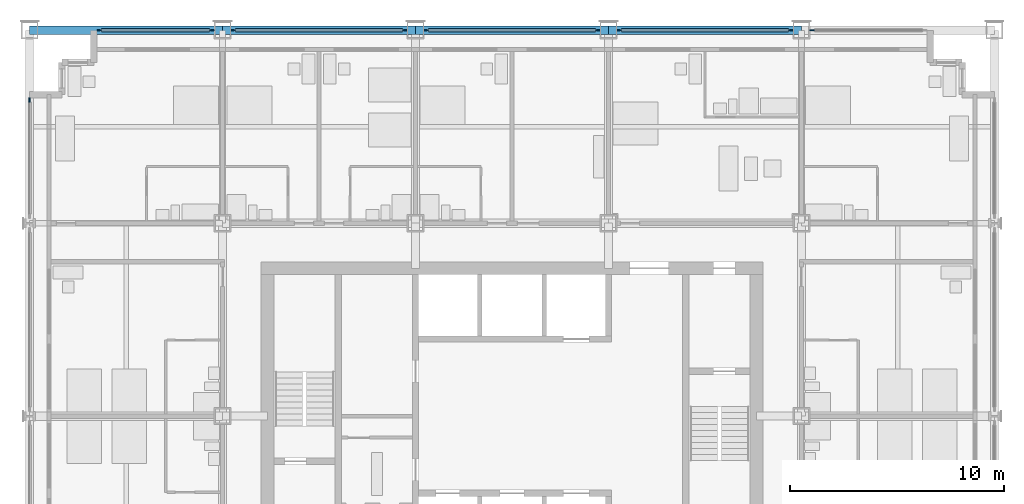
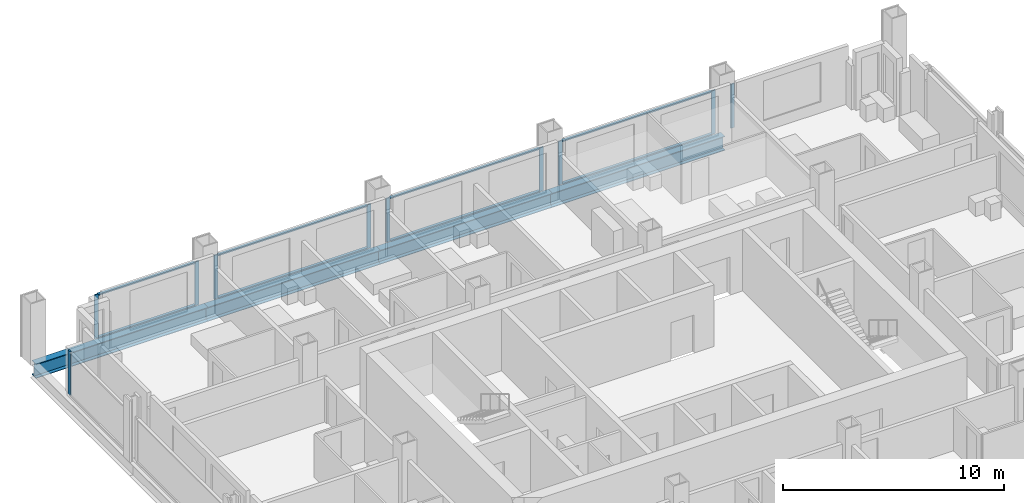
# One storey, part 6 of 16: 18 members, 4 beams, 6 elements without a shape of their own.
"""IFC4 building model written with IfcOpenShell, lengths in metres."""

from ifc_helpers import new_model, si_unit, direction, frame, origin, origin_2d, place, context, subcontext, project, spatial, rectangle, i_section, extrude, material, material_profile, profile_set, type_object, element, aggregate, save


model = new_model("IFC4")

# Units and contexts
model_context = context("Model", 3, precision=1e-05, world=origin(), true_north=direction((0.0, 1.0)))
body_context = subcontext(model_context, "Body", "Model", "MODEL_VIEW")
ifc_project = project(units=[si_unit("LENGTHUNIT", "METRE"), si_unit("AREAUNIT", "SQUARE_METRE"), si_unit("VOLUMEUNIT", "CUBIC_METRE"), si_unit("PLANEANGLEUNIT", "RADIAN"), si_unit("MASSUNIT", "GRAM", prefix="KILO")], contexts=[model_context])

# Site, building, storey
site_placement = place(None, origin())
site = spatial("IfcSite", under=ifc_project, at=site_placement, CompositionType="ELEMENT")
building_placement = place(site_placement, origin())
building = spatial("IfcBuilding", under=site, at=building_placement, Name="Loomwork Tower", CompositionType="ELEMENT")
storey_placement = place(building_placement, frame((0.0, 0.0, 135.0)))
storey = spatial("IfcBuildingStorey", under=building, at=storey_placement, Name="L36", CompositionType="ELEMENT", Elevation=135.0)

# Curtain wall, members
ifc_material_1 = material(Name="Aluminium curtain wall frame", Category="aluminium")
curtain_wall_type = type_object("IfcCurtainWallType", Name="Outer skin glazing hotel", PredefinedType="NOTDEFINED", material=ifc_material_1)
curtain_wall_1_placement = place(storey_placement, origin())
curtain_wall_1 = element("IfcCurtainWall", 1, at=curtain_wall_1_placement, inside=storey, type_object=curtain_wall_type, Name="Outer skin glazing hotel cw/N-0", PredefinedType="NOTDEFINED")
ifc_material_2 = material(Name="Aluminium curtain wall frame", Category="aluminium")
ifc_material_profile_1 = material_profile(ifc_material_2, rectangle(XDim=0.06494140625, YDim=0.199951171875, at=origin_2d()), Name="AL 65x200")
ifc_profile_set_1 = profile_set([ifc_material_profile_1], Name="Aluminium curtain wall frame")
member_type_1 = type_object("IfcMemberType", Name="Outer skin glazing hotel mullion", PredefinedType="MULLION", material=ifc_profile_set_1)
member_1_placement = place(storey_placement, frame((8.5, 36.0, 0.0), z_axis=(0.0, 0.0, 1.0), x_axis=(0.0, -1.0, 0.0)))
member_1 = element("IfcMember", 2, at=member_1_placement, type_object=member_type_1, Name="CW1 mullion 1", PredefinedType="MULLION", context=body_context, shape_type="SweptSolid", body=[
    extrude(rectangle(XDim=0.06494140625, YDim=0.199951171875, at=origin_2d()), origin(), (0.0, 0.0, 1.0), 2.420166015625),
])
member_2_placement = place(storey_placement, frame((3.25, 36.0, 0.0), z_axis=(0.0, 0.0, 1.0), x_axis=(0.0, -1.0, 0.0)))
member_2 = element("IfcMember", 3, at=member_2_placement, type_object=member_type_1, Name="CW1 mullion 2", PredefinedType="MULLION", context=body_context, shape_type="SweptSolid", body=[
    extrude(rectangle(XDim=0.06494140625, YDim=0.199951171875, at=origin_2d()), origin(), (0.0, 0.0, 1.0), 2.420166015625),
])

curtain_wall_2_placement = place(storey_placement, origin())
curtain_wall_2 = element("IfcCurtainWall", 4, at=curtain_wall_2_placement, inside=storey, type_object=curtain_wall_type, Name="Outer skin glazing hotel cw/N-9", PredefinedType="NOTDEFINED")
member_3_placement = place(storey_placement, frame((17.5, 36.0, 0.0), z_axis=(0.0, 0.0, 1.0), x_axis=(0.0, -1.0, 0.0)))
member_3 = element("IfcMember", 5, at=member_3_placement, type_object=member_type_1, Name="CW1 mullion 1", PredefinedType="MULLION", context=body_context, shape_type="SweptSolid", body=[
    extrude(rectangle(XDim=0.06494140625, YDim=0.199951171875, at=origin_2d()), origin(), (0.0, 0.0, 1.0), 2.420166015625),
])
member_4_placement = place(storey_placement, frame((9.5, 36.0, 0.0), z_axis=(0.0, 0.0, 1.0), x_axis=(0.0, -1.0, 0.0)))
member_4 = element("IfcMember", 6, at=member_4_placement, type_object=member_type_1, Name="CW1 mullion 2", PredefinedType="MULLION", context=body_context, shape_type="SweptSolid", body=[
    extrude(rectangle(XDim=0.06494140625, YDim=0.199951171875, at=origin_2d()), origin(), (0.0, 0.0, 1.0), 2.420166015625),
])

curtain_wall_3_placement = place(storey_placement, origin())
curtain_wall_3 = element("IfcCurtainWall", 7, at=curtain_wall_3_placement, inside=storey, type_object=curtain_wall_type, Name="Outer skin glazing hotel cw/N-18", PredefinedType="NOTDEFINED")
member_5_placement = place(storey_placement, frame((26.5, 36.0, 0.0), z_axis=(0.0, 0.0, 1.0), x_axis=(0.0, -1.0, 0.0)))
member_5 = element("IfcMember", 8, at=member_5_placement, type_object=member_type_1, Name="CW1 mullion 1", PredefinedType="MULLION", context=body_context, shape_type="SweptSolid", body=[
    extrude(rectangle(XDim=0.06494140625, YDim=0.199951171875, at=origin_2d()), origin(), (0.0, 0.0, 1.0), 2.420166015625),
])
member_6_placement = place(storey_placement, frame((18.5, 36.0, 0.0), z_axis=(0.0, 0.0, 1.0), x_axis=(0.0, -1.0, 0.0)))
member_6 = element("IfcMember", 9, at=member_6_placement, type_object=member_type_1, Name="CW1 mullion 2", PredefinedType="MULLION", context=body_context, shape_type="SweptSolid", body=[
    extrude(rectangle(XDim=0.06494140625, YDim=0.199951171875, at=origin_2d()), origin(), (0.0, 0.0, 1.0), 2.420166015625),
])

curtain_wall_4_placement = place(storey_placement, origin())
curtain_wall_4 = element("IfcCurtainWall", 10, at=curtain_wall_4_placement, inside=storey, type_object=curtain_wall_type, Name="Outer skin glazing hotel cw/N-27", PredefinedType="NOTDEFINED")
member_7_placement = place(storey_placement, frame((35.5, 36.0, 0.0), z_axis=(0.0, 0.0, 1.0), x_axis=(0.0, -1.0, 0.0)))
member_7 = element("IfcMember", 11, at=member_7_placement, type_object=member_type_1, Name="CW1 mullion 1", PredefinedType="MULLION", context=body_context, shape_type="SweptSolid", body=[
    extrude(rectangle(XDim=0.06494140625, YDim=0.199951171875, at=origin_2d()), origin(), (0.0, 0.0, 1.0), 2.420166015625),
])
member_8_placement = place(storey_placement, frame((27.5, 36.0, 0.0), z_axis=(0.0, 0.0, 1.0), x_axis=(0.0, -1.0, 0.0)))
member_8 = element("IfcMember", 12, at=member_8_placement, type_object=member_type_1, Name="CW1 mullion 2", PredefinedType="MULLION", context=body_context, shape_type="SweptSolid", body=[
    extrude(rectangle(XDim=0.06494140625, YDim=0.199951171875, at=origin_2d()), origin(), (0.0, 0.0, 1.0), 2.420166015625),
])

# Curtain wall, member
curtain_wall_5_placement = place(storey_placement, origin())
curtain_wall_5 = element("IfcCurtainWall", 13, at=curtain_wall_5_placement, inside=storey, type_object=curtain_wall_type, Name="Outer skin glazing hotel cw/N-36", PredefinedType="NOTDEFINED")
member_9_placement = place(storey_placement, frame((36.5, 36.0, 0.0), z_axis=(0.0, 0.0, 1.0), x_axis=(0.0, -1.0, 0.0)))
member_9 = element("IfcMember", 14, at=member_9_placement, type_object=member_type_1, Name="CW1 mullion 2", PredefinedType="MULLION", context=body_context, shape_type="SweptSolid", body=[
    extrude(rectangle(XDim=0.06494140625, YDim=0.199951171875, at=origin_2d()), origin(), (0.0, 0.0, 1.0), 2.420166015625),
])
aggregate(curtain_wall_5, [member_9])

curtain_wall_6_placement = place(storey_placement, origin())
curtain_wall_6 = element("IfcCurtainWall", 15, at=curtain_wall_6_placement, inside=storey, type_object=curtain_wall_type, Name="Outer skin glazing hotel cw/W-27", PredefinedType="NOTDEFINED")
member_10_placement = place(storey_placement, frame((0.0, 32.75, 0.0), z_axis=(0.0, 0.0, 1.0), x_axis=(1.0, 0.0, 0.0)))
member_10 = element("IfcMember", 16, at=member_10_placement, type_object=member_type_1, Name="CW1 mullion 1", PredefinedType="MULLION", context=body_context, shape_type="SweptSolid", body=[
    extrude(rectangle(XDim=0.06494140625, YDim=0.199951171875, at=origin_2d()), origin(), (0.0, 0.0, 1.0), 2.420166015625),
])
aggregate(curtain_wall_6, [member_10])

# Member
ifc_material_3 = material(Name="Aluminium curtain wall frame", Category="aluminium")
ifc_material_profile_2 = material_profile(ifc_material_3, rectangle(XDim=0.14990234375, YDim=0.06494140625, at=origin_2d()), Name="AL 65x150")
ifc_profile_set_2 = profile_set([ifc_material_profile_2], Name="Aluminium curtain wall frame")
member_type_2 = type_object("IfcMemberType", Name="Outer skin glazing hotel transom", PredefinedType="USERDEFINED", material=ifc_profile_set_2)
member_11_placement = place(storey_placement, frame((8.39990234375, 36.0, 0.032470703125), z_axis=(-1.0, 0.0, 0.0), x_axis=(0.0, -1.0, 0.0)))
member_11 = element("IfcMember", 17, at=member_11_placement, type_object=member_type_2, Name="CW1 transom 1.1", ObjectType="TRANSOM", PredefinedType="USERDEFINED", context=body_context, shape_type="SweptSolid", body=[
    extrude(rectangle(XDim=0.14990234375, YDim=0.06494140625, at=origin_2d()), origin(), (0.0, 0.0, 1.0), 5.0498046875),
])

member_12_placement = place(storey_placement, frame((8.39990234375, 36.0, 2.3876953125), z_axis=(-1.0, 0.0, 0.0), x_axis=(0.0, -1.0, 0.0)))
member_12 = element("IfcMember", 18, at=member_12_placement, type_object=member_type_2, Name="CW1 transom 1.2", ObjectType="TRANSOM", PredefinedType="USERDEFINED", context=body_context, shape_type="SweptSolid", body=[
    extrude(rectangle(XDim=0.14990234375, YDim=0.06494140625, at=origin_2d()), origin(), (0.0, 0.0, 1.0), 5.0498046875),
])

aggregate(curtain_wall_1, [member_1, member_2, member_11, member_12])

member_13_placement = place(storey_placement, frame((17.39990234375, 36.0, 0.032470703125), z_axis=(-1.0, 0.0, 0.0), x_axis=(0.0, -1.0, 0.0)))
member_13 = element("IfcMember", 19, at=member_13_placement, type_object=member_type_2, Name="CW1 transom 1.1", ObjectType="TRANSOM", PredefinedType="USERDEFINED", context=body_context, shape_type="SweptSolid", body=[
    extrude(rectangle(XDim=0.14990234375, YDim=0.06494140625, at=origin_2d()), origin(), (0.0, 0.0, 1.0), 7.7998046875),
])

member_14_placement = place(storey_placement, frame((17.39990234375, 36.0, 2.3876953125), z_axis=(-1.0, 0.0, 0.0), x_axis=(0.0, -1.0, 0.0)))
member_14 = element("IfcMember", 20, at=member_14_placement, type_object=member_type_2, Name="CW1 transom 1.2", ObjectType="TRANSOM", PredefinedType="USERDEFINED", context=body_context, shape_type="SweptSolid", body=[
    extrude(rectangle(XDim=0.14990234375, YDim=0.06494140625, at=origin_2d()), origin(), (0.0, 0.0, 1.0), 7.7998046875),
])

aggregate(curtain_wall_2, [member_3, member_4, member_13, member_14])

member_15_placement = place(storey_placement, frame((26.39990234375, 36.0, 0.032470703125), z_axis=(-1.0, 0.0, 0.0), x_axis=(0.0, -1.0, 0.0)))
member_15 = element("IfcMember", 21, at=member_15_placement, type_object=member_type_2, Name="CW1 transom 1.1", ObjectType="TRANSOM", PredefinedType="USERDEFINED", context=body_context, shape_type="SweptSolid", body=[
    extrude(rectangle(XDim=0.14990234375, YDim=0.06494140625, at=origin_2d()), origin(), (0.0, 0.0, 1.0), 7.7998046875),
])

member_16_placement = place(storey_placement, frame((26.39990234375, 36.0, 2.3876953125), z_axis=(-1.0, 0.0, 0.0), x_axis=(0.0, -1.0, 0.0)))
member_16 = element("IfcMember", 22, at=member_16_placement, type_object=member_type_2, Name="CW1 transom 1.2", ObjectType="TRANSOM", PredefinedType="USERDEFINED", context=body_context, shape_type="SweptSolid", body=[
    extrude(rectangle(XDim=0.14990234375, YDim=0.06494140625, at=origin_2d()), origin(), (0.0, 0.0, 1.0), 7.7998046875),
])

aggregate(curtain_wall_3, [member_5, member_6, member_15, member_16])

member_17_placement = place(storey_placement, frame((35.39990234375, 36.0, 0.032470703125), z_axis=(-1.0, 0.0, 0.0), x_axis=(0.0, -1.0, 0.0)))
member_17 = element("IfcMember", 23, at=member_17_placement, type_object=member_type_2, Name="CW1 transom 1.1", ObjectType="TRANSOM", PredefinedType="USERDEFINED", context=body_context, shape_type="SweptSolid", body=[
    extrude(rectangle(XDim=0.14990234375, YDim=0.06494140625, at=origin_2d()), origin(), (0.0, 0.0, 1.0), 7.7998046875),
])

member_18_placement = place(storey_placement, frame((35.39990234375, 36.0, 2.3876953125), z_axis=(-1.0, 0.0, 0.0), x_axis=(0.0, -1.0, 0.0)))
member_18 = element("IfcMember", 24, at=member_18_placement, type_object=member_type_2, Name="CW1 transom 1.2", ObjectType="TRANSOM", PredefinedType="USERDEFINED", context=body_context, shape_type="SweptSolid", body=[
    extrude(rectangle(XDim=0.14990234375, YDim=0.06494140625, at=origin_2d()), origin(), (0.0, 0.0, 1.0), 7.7998046875),
])

aggregate(curtain_wall_4, [member_7, member_8, member_17, member_18])

# Beams
ifc_material_4 = material(Name="Steel ASTM A992", Category="steel")
ifc_material_profile_3 = material_profile(ifc_material_4, i_section(OverallWidth=0.381103515625, OverallDepth=0.77978515625, WebThickness=0.01806640625, FlangeThickness=0.0302734375, at=origin_2d()), Name="W30x191")
ifc_profile_set_3 = profile_set([ifc_material_profile_3], Name="Steel ASTM A992")
beam_type = type_object("IfcBeamType", Name="SPANDREL GIRDER W30x191", PredefinedType="SPANDREL", material=ifc_profile_set_3)
for number, where, z_axis, x_axis, name in (
    (25, (0.0, 36.0, -0.58984375), (1.0, 0.0, 0.0), (0.0, 1.0, 0.0), "Spandrel Girder H/2-H/3 L36"),
    (26, (9.0, 36.0, -0.58984375), (1.0, 0.0, 0.0), (0.0, 1.0, 0.0), "Spandrel Girder H/3-H/4 L36"),
    (27, (18.0, 36.0, -0.58984375), (1.0, 0.0, 0.0), (0.0, 1.0, 0.0), "Spandrel Girder H/4-H/5 L36"),
    (28, (27.0, 36.0, -0.58984375), (1.0, 0.0, 0.0), (0.0, 1.0, 0.0), "Spandrel Girder H/5-H/6 L36"),
):
    element("IfcBeam", number, at=place(storey_placement, frame(where, z_axis=z_axis, x_axis=x_axis)), inside=storey, type_object=beam_type, Name=name, PredefinedType="SPANDREL", context=body_context, shape_type="SweptSolid", body=[
        extrude(i_section(OverallWidth=0.381103515625, OverallDepth=0.77978515625, WebThickness=0.01806640625, FlangeThickness=0.0302734375, at=origin_2d()), origin(), (0.0, 0.0, 1.0), 9.0),
    ])

save(model, "model.ifc")
